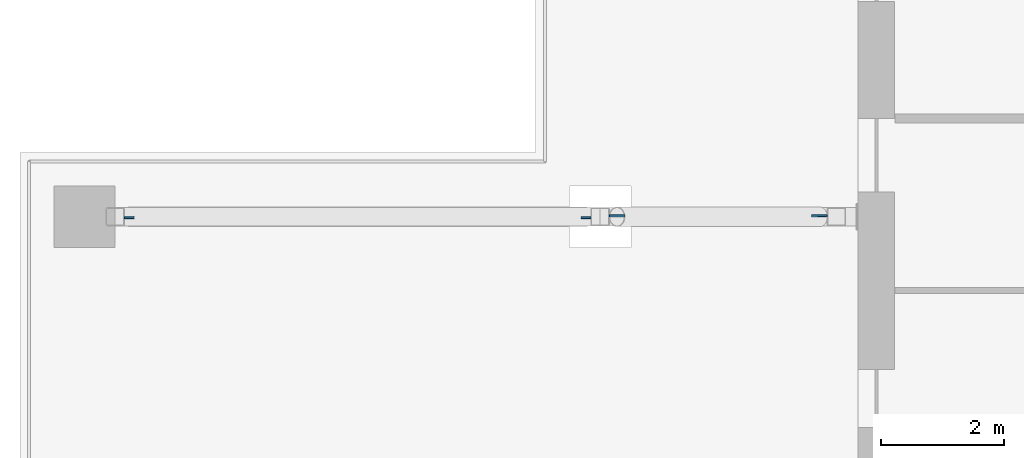
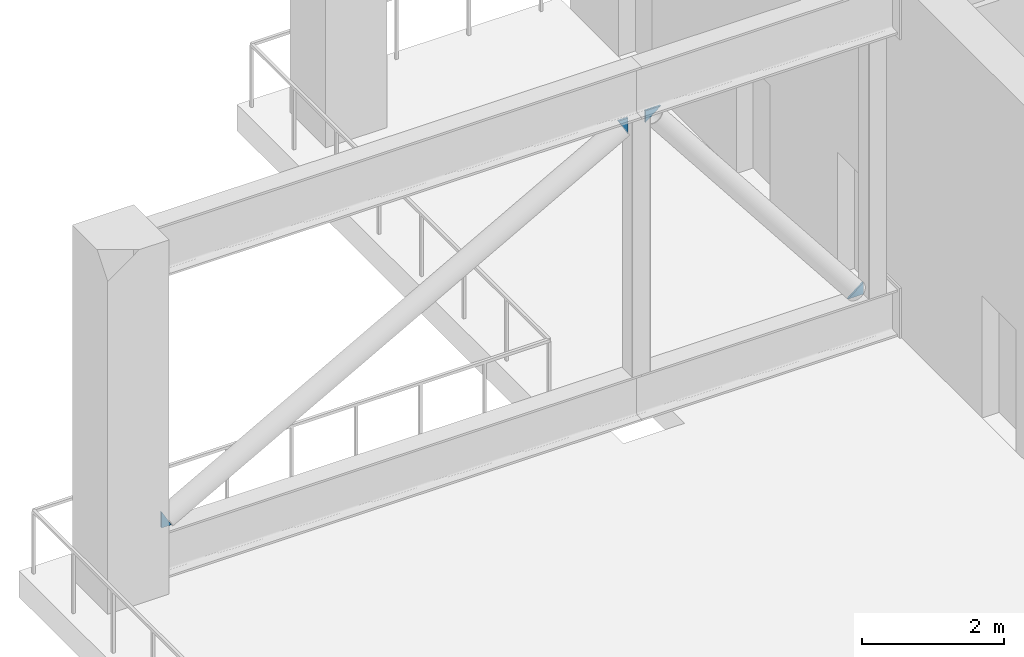
# One storey, part 15 of 24: 4 plates.
"""IFC4 building model written with IfcOpenShell, lengths in metres."""

from ifc_helpers import new_model, si_unit, direction, frame, origin, place, context, subcontext, project, spatial, polyline, outline, extrude, material, layer, layer_set, type_object, element, save


model = new_model("IFC4")

# Units and contexts
model_context = context("Model", 3, precision=1e-05, world=origin(), true_north=direction((0.0, 1.0)))
body_context = subcontext(model_context, "Body", "Model", "MODEL_VIEW")
ifc_project = project(units=[si_unit("LENGTHUNIT", "METRE"), si_unit("AREAUNIT", "SQUARE_METRE"), si_unit("VOLUMEUNIT", "CUBIC_METRE"), si_unit("PLANEANGLEUNIT", "RADIAN"), si_unit("MASSUNIT", "GRAM", prefix="KILO")], contexts=[model_context])

# Site, building, storey
site_placement = place(None, origin())
site = spatial("IfcSite", under=ifc_project, at=site_placement, CompositionType="ELEMENT")
building_placement = place(site_placement, origin())
building = spatial("IfcBuilding", under=site, at=building_placement, Name="Vermilion Ogive Tower", CompositionType="ELEMENT")
storey_placement = place(building_placement, frame((0.0, 0.0, 216.949951171875)))
storey = spatial("IfcBuildingStorey", under=building, at=storey_placement, Name="L57", CompositionType="ELEMENT", Elevation=216.949951171875)

# Plates
ifc_material = material(Name="Steel S355", Category="steel")
ifc_layer = layer(ifc_material, 0.030029296875)
ifc_layer_set = layer_set([ifc_layer], Name="Truss gusset plate 30")
plate_type = type_object("IfcPlateType", Name="Truss gusset plate 30", PredefinedType="USERDEFINED", material=ifc_layer_set)
for number, where, z_axis, x_axis, name in (
    (1, (-13.10009765625, 12.60009765625, 1.001220703125), (0.0, -1.0, 0.0), (-0.782341531663, 0.0, -0.622849683179), "Gusset plate L57-TR-EWW+12.6-D0A"),
    (2, (-16.64990234375, 12.60009765625, 4.998779296875), (0.0, -1.0, 0.0), (0.782341531663, 0.0, 0.622849683179), "Gusset plate L57-TR-EWW+12.6-D0B"),
):
    element("IfcPlate", number, at=place(storey_placement, frame(where, z_axis=z_axis, x_axis=x_axis)), inside=storey, type_object=plate_type, Name=name, ObjectType="GUSSET PLATE", PredefinedType="USERDEFINED", context=body_context, shape_type="SweptSolid", body=[
        extrude(outline(polyline([(0.0, 0.0), (0.32298623637940593, 0.0), (0.125299838608219, 0.15738511281493528), (0.0, 0.0)])), origin(), (0.0, 0.0, -1.0), 0.030029296875),
    ])
for number, where, z_axis, x_axis, name in (
    (3, (-16.949951171875, 12.60009765625, 4.918701171875), (0.0, 1.0, 0.0), (-0.492555038891, 0.0, 0.87028129571), "Gusset plate L57-TR-EWW+12.6-D1A"),
    (4, (-24.550048828125, 12.60009765625, 1.081298828125), (0.0, 1.0, 0.0), (0.492555038891, 0.0, -0.87028129571), "Gusset plate L57-TR-EWW+12.6-D1B"),
):
    element("IfcPlate", number, at=place(storey_placement, frame(where, z_axis=z_axis, x_axis=x_axis)), inside=storey, type_object=plate_type, Name=name, ObjectType="GUSSET PLATE", PredefinedType="USERDEFINED", context=body_context, shape_type="SweptSolid", body=[
        extrude(outline(polyline([(0.0, 0.0), (0.3231713715857233, 0.0), (0.24476661441843647, 0.1385311046882123), (0.0, 0.0)])), origin(), (0.0, 0.0, -1.0), 0.030029296875),
    ])

save(model, "model.ifc")
